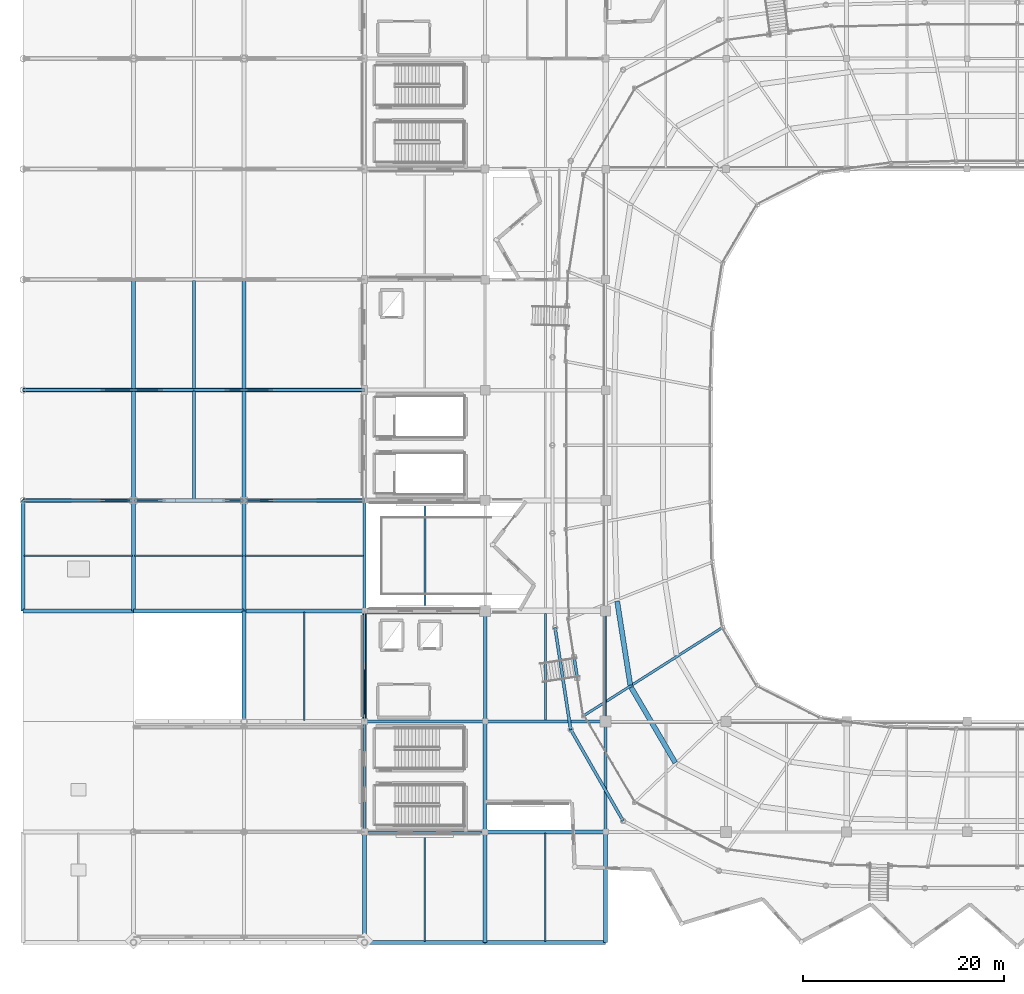
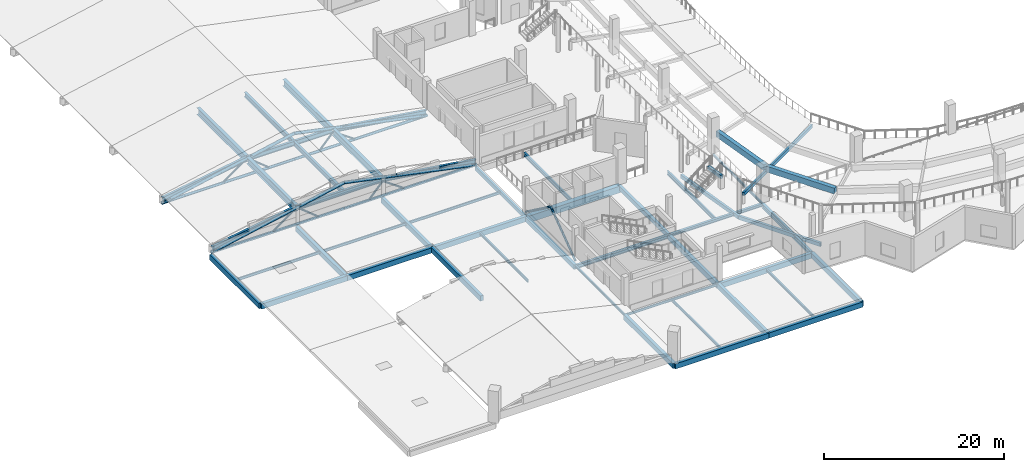
# One storey, part 27 of 77: 50 beams, 18 members.
"""IFC4 building model written with IfcOpenShell, lengths in metres."""

import ifcopenshell
import ifcopenshell.guid

model = None  # the IFC model being written
_history = None  # IfcOwnerHistory: only IFC2X3 demands one
_inside = {}  # id of a spatial element -> (the spatial element, [elements in it])
_under = {}  # id of a project, library or spatial element -> (it, [spatial elements below it])
_declared = {}  # id of a project -> (the project, [libraries it declares])
_typed = {}  # id of a type object -> (the type object, [elements of that type])
_made_of = {}  # id of a material, layer set ... -> (it, [elements and type objects made of it])


def new_model(schema):
    """Start an empty IFC model of exactly this schema.

    Asked for "IFC4X3", IfcOpenShell would pick the latest addendum, in which some entities
    have other attributes; the version numbers below select the first issue.
    IFC2X3 requires an IfcOwnerHistory on every rooted entity: one is made here for all.
    """
    global model, _history
    if schema == "IFC4X3":
        model = ifcopenshell.file(schema_version=(4, 3, 0, 0))
    else:
        model = ifcopenshell.file(schema=schema)
    _inside.clear()
    _under.clear()
    _declared.clear()
    _typed.clear()
    _made_of.clear()
    _history = None
    if model.schema == "IFC2X3":
        org = make("IfcOrganization", Name="unknown")
        user = make(
            "IfcPersonAndOrganization",
            ThePerson=make("IfcPerson", FamilyName="unknown"),
            TheOrganization=org,
        )
        app = make(
            "IfcApplication",
            ApplicationDeveloper=org,
            Version="unknown",
            ApplicationFullName="unknown",
            ApplicationIdentifier="unknown",
        )
        _history = make(
            "IfcOwnerHistory",
            OwningUser=user,
            OwningApplication=app,
            ChangeAction="ADDED",
            CreationDate=0,
        )
    return model


def make(cls, **values):
    """One entity of the class cls with the attributes given. An attribute that is None is left unset."""
    return model.create_entity(
        cls, **{name: value for name, value in values.items() if value is not None}
    )


def rooted(cls, **values):
    """An entity with a GlobalId (a new one), such as an element, a storey or a relation."""
    return make(cls, GlobalId=ifcopenshell.guid.new(), OwnerHistory=_history, **values)


def si_unit(unit_type, name, prefix=None):
    """IfcSIUnit, for example si_unit("LENGTHUNIT", "METRE", prefix="MILLI")."""
    return make("IfcSIUnit", UnitType=unit_type, Prefix=prefix, Name=name)


def assignment(units):
    """IfcUnitAssignment: the units of a project."""
    return None if units is None else make("IfcUnitAssignment", Units=units)


def point(xyz):
    """IfcCartesianPoint."""
    return None if xyz is None else make("IfcCartesianPoint", Coordinates=xyz)


def direction(xyz):
    """IfcDirection."""
    return None if xyz is None else make("IfcDirection", DirectionRatios=xyz)


def frame(location, z_axis=None, x_axis=None):
    """IfcAxis2Placement3D, a coordinate frame: its origin and axes. An axis left out is left unset."""
    return make(
        "IfcAxis2Placement3D",
        Location=point(location),
        Axis=direction(z_axis),
        RefDirection=direction(x_axis),
    )


def frame_2d(location, x_axis=None):
    """IfcAxis2Placement2D, a coordinate frame in the plane: its origin and x axis."""
    return make(
        "IfcAxis2Placement2D", Location=point(location), RefDirection=direction(x_axis)
    )


def origin():
    """The frame at (0, 0, 0) with its axes left unset."""
    return frame((0.0, 0.0, 0.0))


def origin_2d():
    """The frame at (0, 0) in the plane with its x axis left unset."""
    return frame_2d((0.0, 0.0))


def place(relative_to, where):
    """IfcLocalPlacement: puts the frame where relative to a parent placement (None: the world)."""
    return make(
        "IfcLocalPlacement", PlacementRelTo=relative_to, RelativePlacement=where
    )


def context(
    kind, dimensions, precision=None, world=None, true_north=None, identifier=None
):
    """IfcGeometricRepresentationContext, for example the 3D "Model" context."""
    return make(
        "IfcGeometricRepresentationContext",
        ContextIdentifier=identifier,
        ContextType=kind,
        CoordinateSpaceDimension=dimensions,
        Precision=precision,
        WorldCoordinateSystem=world,
        TrueNorth=true_north,
    )


def subcontext(parent, identifier, kind, view, scale=None):
    """IfcGeometricRepresentationSubContext, for example "Body" below "Model"."""
    return make(
        "IfcGeometricRepresentationSubContext",
        ContextIdentifier=identifier,
        ContextType=kind,
        ParentContext=parent,
        TargetScale=scale,
        TargetView=view,
    )


def project(units=None, contexts=None):
    """IfcProject with its units and contexts."""
    return rooted(
        "IfcProject",
        Name="project",
        RepresentationContexts=contexts,
        UnitsInContext=assignment(units),
    )


def spatial(cls, under=None, at=None, **own):
    """A site, building, storey or space (cls), placed at a placement, below another one or the project."""
    s = rooted(cls, ObjectPlacement=at, **own)
    if under is not None:
        _under.setdefault(under.id(), (under, []))[1].append(s)
    return s


def profile(cls, at=None, kind="AREA", **sizes):
    """A parametric profile (cls). Its sizes go by their IFC names, for example OverallWidth=200.0."""
    return make(cls, ProfileType=kind, Position=at, **sizes)


def rectangle(**sizes):
    """IfcRectangleProfileDef."""
    return profile("IfcRectangleProfileDef", **sizes)


def hollow_rectangle(**sizes):
    """IfcRectangleHollowProfileDef."""
    return profile("IfcRectangleHollowProfileDef", **sizes)


def hollow_circle(**sizes):
    """IfcCircleHollowProfileDef."""
    return profile("IfcCircleHollowProfileDef", **sizes)


def i_section(**sizes):
    """IfcIShapeProfileDef."""
    return profile("IfcIShapeProfileDef", **sizes)


def extrude(swept, where, along, depth):
    """IfcExtrudedAreaSolid: the profile swept, set in the frame where, extruded along a direction by depth."""
    return make(
        "IfcExtrudedAreaSolid",
        SweptArea=swept,
        Position=where,
        ExtrudedDirection=direction(along),
        Depth=depth,
    )


def shape(context_of_items, identifier, shape_type, items):
    """IfcShapeRepresentation: the items that make up one representation, for example the "Body"."""
    return make(
        "IfcShapeRepresentation",
        ContextOfItems=context_of_items,
        RepresentationIdentifier=identifier,
        RepresentationType=shape_type,
        Items=items,
    )


def material(Name=None, Category=None):
    """IfcMaterial."""
    return make("IfcMaterial", Name=Name, Category=Category)


def material_profile(
    of_material, cross_section, Name=None, Category=None, Priority=None
):
    """IfcMaterialProfile: a cross section and its material."""
    return make(
        "IfcMaterialProfile",
        Name=Name,
        Material=of_material,
        Profile=cross_section,
        Priority=Priority,
        Category=Category,
    )


def profile_set(profiles, Name=None, composite=None):
    """IfcMaterialProfileSet."""
    return make(
        "IfcMaterialProfileSet",
        Name=Name,
        MaterialProfiles=profiles,
        CompositeProfile=composite,
    )


def made_of(thing, what):
    """Note that an element or type object is made of a material, layer set ...; save() writes the relation."""
    if what is not None:
        _made_of.setdefault(what.id(), (what, []))[1].append(thing)
    return thing


def type_object(cls, material=None, **own):
    """A type object (cls), such as IfcWallType, which elements share."""
    return made_of(rooted(cls, **own), material)


def element(
    cls,
    number,
    at=None,
    inside=None,
    cuts=None,
    type_object=None,
    material=None,
    context=None,
    identifier="Body",
    shape_type=None,
    held_by="IfcProductDefinitionShape",
    body=None,
    shapes=None,
    **own,
):
    """One element of the class cls, such as IfcWall. Its Tag is "e" and its number.

    at: its placement. inside: the storey or other place that contains it. cuts: it is an
    opening in that element (IfcRelVoidsElement). A single representation is given by context,
    identifier, shape_type and body (its items); several are given by shapes. held_by: the class
    of the entity that holds the representations. save() writes the other relations.
    """
    e = rooted(cls, Tag="e%d" % number, ObjectPlacement=at, **own)
    if body is not None:
        shapes = [shape(context, identifier, shape_type, body)]
    if shapes is not None:
        e.Representation = make(held_by, Representations=shapes)
    if inside is not None:
        _inside.setdefault(inside.id(), (inside, []))[1].append(e)
    if cuts is not None:
        rooted(
            "IfcRelVoidsElement", RelatingBuildingElement=cuts, RelatedOpeningElement=e
        )
    if type_object is not None:
        _typed.setdefault(type_object.id(), (type_object, []))[1].append(e)
    return made_of(e, material)


def aggregate(whole, parts):
    """IfcRelAggregates: a whole, such as a stair, and the parts it consists of."""
    return rooted("IfcRelAggregates", RelatingObject=whole, RelatedObjects=parts)


def save(model, path):
    """Write the relations noted so far, then the file.

    IfcRelAggregates (storeys below a building ...), IfcRelContainedInSpatialStructure (elements
    in a storey), IfcRelDefinesByType, IfcRelAssociatesMaterial and IfcRelDeclares: one each for
    every whole, place, type object, material and project.
    """
    for whole, parts in _under.values():
        aggregate(whole, parts)
    for where, things in _inside.values():
        rooted(
            "IfcRelContainedInSpatialStructure",
            RelatedElements=things,
            RelatingStructure=where,
        )
    for kind, things in _typed.values():
        rooted("IfcRelDefinesByType", RelatedObjects=things, RelatingType=kind)
    for what, things in _made_of.values():
        rooted("IfcRelAssociatesMaterial", RelatedObjects=things, RelatingMaterial=what)
    for by, libraries in _declared.values():
        rooted("IfcRelDeclares", RelatingContext=by, RelatedDefinitions=libraries)
    model.write(path)


model = new_model("IFC4")

# Units and contexts
model_context = context("Model", 3, precision=1e-05, world=origin(), true_north=direction((0.0, 1.0)))
body_context = subcontext(model_context, "Body", "Model", "MODEL_VIEW")
ifc_project = project(units=[si_unit("LENGTHUNIT", "METRE"), si_unit("AREAUNIT", "SQUARE_METRE"), si_unit("VOLUMEUNIT", "CUBIC_METRE"), si_unit("PLANEANGLEUNIT", "RADIAN"), si_unit("MASSUNIT", "GRAM", prefix="KILO")], contexts=[model_context])

# Site, building, storey
site_placement = place(None, origin())
site = spatial("IfcSite", under=ifc_project, at=site_placement, CompositionType="ELEMENT")
building_placement = place(site_placement, origin())
building = spatial("IfcBuilding", under=site, at=building_placement, Name="Luwafu Chhajja Arena", CompositionType="ELEMENT")
storey_placement = place(building_placement, frame((0.0, 0.0, 14.699951171875)))
storey = spatial("IfcBuildingStorey", under=building, at=storey_placement, Name="L03", CompositionType="ELEMENT", Elevation=14.699951171875)

# Beams
ifc_material_1 = material(Name="Concrete C35/45", Category="concrete")
ifc_material_profile_1 = material_profile(ifc_material_1, rectangle(XDim=0.35009765625, YDim=0.60009765625, at=origin_2d()), Name="RC 350x600")
ifc_profile_set_1 = profile_set([ifc_material_profile_1], Name="Concrete C35/45")
beam_type_1 = type_object("IfcBeamType", Name="Arcade Tie Beam RC 350x600", PredefinedType="BEAM", material=ifc_profile_set_1)
beam_1_placement = place(storey_placement, frame((46.0, 22.0, -0.68994140625), z_axis=(0.0, 1.0, 0.0), x_axis=(-1.0, 0.0, 0.0)))
element("IfcBeam", 1, at=beam_1_placement, inside=storey, type_object=beam_type_1, Name="L03 Grid Beam 5/C-D", PredefinedType="BEAM", context=body_context, shape_type="SweptSolid", body=[
    extrude(rectangle(XDim=0.35009765625, YDim=0.60009765625, at=origin_2d()), origin(), (0.0, 0.0, 1.0), 11.0),
])
ifc_material_2 = material(Name="Steel S355", Category="steel")
ifc_material_profile_2 = material_profile(ifc_material_2, hollow_rectangle(XDim=0.25, YDim=0.449951171875, WallThickness=0.01611328125, at=origin_2d()), Name="RHS 450x250x16")
ifc_profile_set_2 = profile_set([ifc_material_profile_2], Name="Steel S355")
beam_type_2 = type_object("IfcBeamType", Name="Cantilevered Upper Bowl Raker RHS 450x250", PredefinedType="USERDEFINED", material=ifc_profile_set_2)
beam_2_placement = place(storey_placement, frame((69.701416015625, 31.399658203125, 0.239990234375), z_axis=(-0.842344515342, -0.535670990695, 0.059264721387), x_axis=(0.536614196584, -0.843827709917, 0.0)))
element("IfcBeam", 2, at=beam_2_placement, inside=storey, type_object=beam_type_2, Name="Upper Bowl Raker RKR-U20", ObjectType="RAKER", PredefinedType="USERDEFINED", context=body_context, shape_type="SweptSolid", body=[
    extrude(hollow_rectangle(XDim=0.25, YDim=0.449951171875, WallThickness=0.01611328125, at=origin_2d()), origin(), (0.0, 0.0, 1.0), 16.53564453125),
])
ifc_material_profile_3 = material_profile(ifc_material_2, i_section(OverallWidth=0.165771484375, OverallDepth=0.306640625, WebThickness=0.006591796875, FlangeThickness=0.01171875, at=origin_2d()), Name="UB 305x165x46")
ifc_profile_set_3 = profile_set([ifc_material_profile_3], Name="Steel S355")
beam_type_3 = type_object("IfcBeamType", Name="Concourse Edge Spandrel Beam UB 305x165x46", PredefinedType="SPANDREL", material=ifc_profile_set_3)
beam_3_placement = place(storey_placement, frame((34.0, 11.0, -0.543212890625), z_axis=(1.0, 0.0, 0.0), x_axis=(0.0, 1.0, 0.0)))
element("IfcBeam", 3, at=beam_3_placement, inside=storey, type_object=beam_type_3, Name="L03 Grid Beam 4-5/B", PredefinedType="SPANDREL", context=body_context, shape_type="SweptSolid", body=[
    extrude(i_section(OverallWidth=0.165771484375, OverallDepth=0.306640625, WebThickness=0.006591796875, FlangeThickness=0.01171875, at=origin_2d()), origin(), (0.0, 0.0, 1.0), 12.0),
])
for number, where, z_axis, x_axis, name in (
    (4, (34.0, 11.0, -0.543212890625), (0.0, 1.0, 0.0), (-1.0, 0.0, 0.0), "L03 Grid Beam 4/B-C"),
    (5, (58.0, 22.0, -0.543212890625), (0.0, 1.0, 0.0), (-1.0, 0.0, 0.0), "L03 Grid Beam 6/C-D"),
):
    element("IfcBeam", number, at=place(storey_placement, frame(where, z_axis=z_axis, x_axis=x_axis)), inside=storey, type_object=beam_type_3, Name=name, PredefinedType="SPANDREL", context=body_context, shape_type="SweptSolid", body=[
        extrude(i_section(OverallWidth=0.165771484375, OverallDepth=0.306640625, WebThickness=0.006591796875, FlangeThickness=0.01171875, at=origin_2d()), origin(), (0.0, 0.0, 1.0), 11.0),
    ])
ifc_material_profile_4 = material_profile(ifc_material_1, rectangle(XDim=0.60009765625, YDim=0.89990234375, at=origin_2d()), Name="RC 600x900")
ifc_profile_set_4 = profile_set([ifc_material_profile_4], Name="Concrete C35/45")
beam_type_4 = type_object("IfcBeamType", Name="Concourse Primary Girder RC 600x900", PredefinedType="BEAM", material=ifc_profile_set_4)
beam_4_placement = place(storey_placement, frame((34.0, 33.0, -0.83984375), z_axis=(1.0, 0.0, 0.0), x_axis=(0.0, 1.0, 0.0)))
element("IfcBeam", 6, at=beam_4_placement, inside=storey, type_object=beam_type_4, Name="L03 Grid Beam 4-5/D", PredefinedType="BEAM", context=body_context, shape_type="SweptSolid", body=[
    extrude(rectangle(XDim=0.60009765625, YDim=0.89990234375, at=origin_2d()), origin(), (0.0, 0.0, 1.0), 12.0),
])
ifc_material_profile_5 = material_profile(ifc_material_2, i_section(OverallWidth=0.209228515625, OverallDepth=0.533203125, WebThickness=0.010009765625, FlangeThickness=0.015625, at=origin_2d()), Name="UB 533x210x92")
ifc_profile_set_5 = profile_set([ifc_material_profile_5], Name="Steel S355")
beam_type_5 = type_object("IfcBeamType", Name="Floor Joist UB 533x210x92", PredefinedType="JOIST", material=ifc_profile_set_5)
beam_5_placement = place(storey_placement, frame((40.0, 33.300048828125, -0.656494140625), z_axis=(0.0, 1.0, 0.0), x_axis=(-1.0, 0.0, 0.0)))
element("IfcBeam", 7, at=beam_5_placement, inside=storey, type_object=beam_type_5, Name="L03 Secondary Joist 4-5/D", PredefinedType="JOIST", context=body_context, shape_type="SweptSolid", body=[
    extrude(i_section(OverallWidth=0.209228515625, OverallDepth=0.533203125, WebThickness=0.010009765625, FlangeThickness=0.015625, at=origin_2d()), origin(), (0.0, 0.0, 1.0), 10.449951171875),
])
beam_6_placement = place(storey_placement, frame((52.0, 22.14990234375, -0.656494140625), z_axis=(0.0, 1.0, 0.0), x_axis=(-1.0, 0.0, 0.0)))
element("IfcBeam", 8, at=beam_6_placement, inside=storey, type_object=beam_type_5, Name="L03 Secondary Joist 5-6/C", PredefinedType="JOIST", context=body_context, shape_type="SweptSolid", body=[
    extrude(i_section(OverallWidth=0.209228515625, OverallDepth=0.533203125, WebThickness=0.010009765625, FlangeThickness=0.015625, at=origin_2d()), origin(), (0.0, 0.0, 1.0), 10.5751953125),
])
ifc_material_profile_6 = material_profile(ifc_material_1, rectangle(XDim=0.5, YDim=0.800048828125, at=origin_2d()), Name="RC 500x800")
ifc_profile_set_6 = profile_set([ifc_material_profile_6], Name="Concrete C35/45")
beam_type_6 = type_object("IfcBeamType", Name="Hospitality Primary Beam RC 500x800", PredefinedType="BEAM", material=ifc_profile_set_6)
beam_7_placement = place(storey_placement, frame((59.1513671875, 33.974609375, 1.380126953125), z_axis=(0.154767809248, -0.987950871866, 0.0), x_axis=(0.987950871866, 0.154767809248, 0.0)))
element("IfcBeam", 9, at=beam_7_placement, inside=storey, type_object=beam_type_6, Name="Upper Tier Ring Beam S19-B3", PredefinedType="BEAM", context=body_context, shape_type="SweptSolid", body=[
    extrude(rectangle(XDim=0.5, YDim=0.800048828125, at=origin_2d()), origin(), (0.0, 0.0, 1.0), 8.458251953125),
])
beam_8_placement = place(storey_placement, frame((60.54296875, 25.38671875, 1.380126953125), z_axis=(0.506098278206, -0.862475815775, 0.0), x_axis=(0.862475815775, 0.506098278206, 0.0)))
element("IfcBeam", 10, at=beam_8_placement, inside=storey, type_object=beam_type_6, Name="Upper Tier Ring Beam S20-B3", PredefinedType="BEAM", context=body_context, shape_type="SweptSolid", body=[
    extrude(rectangle(XDim=0.5, YDim=0.800048828125, at=origin_2d()), origin(), (0.0, 0.0, 1.0), 8.68310546875),
])
ifc_material_profile_7 = material_profile(ifc_material_2, i_section(OverallWidth=0.41845703125, OverallDepth=0.911865234375, WebThickness=0.019287109375, FlangeThickness=0.031982421875, at=origin_2d()), Name="UB 914x419x343")
ifc_profile_set_7 = profile_set([ifc_material_profile_7], Name="Steel S355")
beam_type_7 = type_object("IfcBeamType", Name="Outer Compression Ring Girder UB 914x419x343", PredefinedType="BEAM", material=ifc_profile_set_7)
for number, where, z_axis, x_axis, name in (
    (11, (11.0, 44.1201171875, 1.949951171875), (0.0, 1.0, 0.0), (-1.0, 0.0, 0.0), "Warm-Up W Spine Girder Bay 4"),
    (12, (11.0, 55.1201171875, 1.949951171875), (0.0, 1.0, 0.0), (-1.0, 0.0, 0.0), "Warm-Up W Spine Girder Bay 5"),
    (13, (22.0, 44.1201171875, 1.949951171875), (0.0, 1.0, 0.0), (-1.0, 0.0, 0.0), "Warm-Up E Spine Girder Bay 4"),
    (14, (22.0, 55.1201171875, 1.949951171875), (0.0, 1.0, 0.0), (-1.0, 0.0, 0.0), "Warm-Up E Spine Girder Bay 5"),
):
    element("IfcBeam", number, at=place(storey_placement, frame(where, z_axis=z_axis, x_axis=x_axis)), inside=storey, type_object=beam_type_7, Name=name, PredefinedType="BEAM", context=body_context, shape_type="SweptSolid", body=[
        extrude(i_section(OverallWidth=0.41845703125, OverallDepth=0.911865234375, WebThickness=0.019287109375, FlangeThickness=0.031982421875, at=origin_2d()), origin(), (0.0, 0.0, 1.0), 10.759765625),
    ])
ifc_material_profile_8 = material_profile(ifc_material_2, hollow_rectangle(XDim=0.300048828125, YDim=0.5, WallThickness=0.02001953125, at=origin_2d()), Name="RHS 500x300x20")
ifc_profile_set_8 = profile_set([ifc_material_profile_8], Name="Steel S355")
beam_type_8 = type_object("IfcBeamType", Name="Pleated Drum Spandrel Beam RHS 500x300", PredefinedType="SPANDREL", material=ifc_profile_set_8)
beam_9_placement = place(storey_placement, frame((34.0, 33.0, -0.639892578125), z_axis=(0.0, 1.0, 0.0), x_axis=(-1.0, 0.0, 0.0)))
element("IfcBeam", 15, at=beam_9_placement, inside=storey, type_object=beam_type_8, Name="L03 Grid Beam 4/D-E", PredefinedType="SPANDREL", context=body_context, shape_type="SweptSolid", body=[
    extrude(hollow_rectangle(XDim=0.300048828125, YDim=0.5, WallThickness=0.02001953125, at=origin_2d()), origin(), (0.0, 0.0, 1.0), 11.0),
])
beam_10_placement = place(storey_placement, frame((52.968017578125, 31.3388671875, -0.639892578125), z_axis=(0.1515977802, -0.988442265911, 0.0), x_axis=(0.988442265911, 0.1515977802, 0.0)))
element("IfcBeam", 16, at=beam_10_placement, inside=storey, type_object=beam_type_8, Name="L03 Drum Ring Spandrel D19-D20", PredefinedType="SPANDREL", context=body_context, shape_type="SweptSolid", body=[
    extrude(hollow_rectangle(XDim=0.300048828125, YDim=0.5, WallThickness=0.02001953125, at=origin_2d()), origin(), (0.0, 0.0, 1.0), 10.263427734375),
])
beam_11_placement = place(storey_placement, frame((54.52392578125, 21.194091796875, -0.639892578125), z_axis=(0.498192671921, -0.867066353657, 0.0), x_axis=(0.867066353657, 0.498192671921, 0.0)))
element("IfcBeam", 17, at=beam_11_placement, inside=storey, type_object=beam_type_8, Name="L03 Drum Ring Spandrel D20-D21", PredefinedType="SPANDREL", context=body_context, shape_type="SweptSolid", body=[
    extrude(hollow_rectangle(XDim=0.300048828125, YDim=0.5, WallThickness=0.02001953125, at=origin_2d()), origin(), (0.0, 0.0, 1.0), 10.477783203125),
])
ifc_material_profile_9 = material_profile(ifc_material_1, rectangle(XDim=0.39990234375, YDim=0.60009765625, at=origin_2d()), Name="RC 400x600")
ifc_profile_set_9 = profile_set([ifc_material_profile_9], Name="Concrete C35/45")
beam_type_9 = type_object("IfcBeamType", Name="Podium Perimeter Spandrel RC 400x600", PredefinedType="SPANDREL", material=ifc_profile_set_9)
beam_12_placement = place(storey_placement, frame((34.0, 22.0, -0.68994140625), z_axis=(0.0, 1.0, 0.0), x_axis=(-1.0, 0.0, 0.0)))
element("IfcBeam", 18, at=beam_12_placement, inside=storey, type_object=beam_type_9, Name="L03 Grid Beam 4/C-D", PredefinedType="SPANDREL", context=body_context, shape_type="SweptSolid", body=[
    extrude(rectangle(XDim=0.39990234375, YDim=0.60009765625, at=origin_2d()), origin(), (0.0, 0.0, 1.0), 11.0),
])
ifc_material_profile_10 = material_profile(ifc_material_2, i_section(OverallWidth=0.300048828125, OverallDepth=0.5, WebThickness=0.014404296875, FlangeThickness=0.028076171875, at=origin_2d()), Name="HEB 500")
ifc_profile_set_10 = profile_set([ifc_material_profile_10], Name="Steel S355")
beam_type_10 = type_object("IfcBeamType", Name="Steel Atrium Tie Girder HEB 500", PredefinedType="BEAM", material=ifc_profile_set_10)
beam_13_placement = place(storey_placement, frame((34.0, 22.0, -0.639892578125), z_axis=(1.0, 0.0, 0.0), x_axis=(0.0, 1.0, 0.0)))
element("IfcBeam", 19, at=beam_13_placement, inside=storey, type_object=beam_type_10, Name="L03 Grid Beam 4-5/C", PredefinedType="BEAM", context=body_context, shape_type="SweptSolid", body=[
    extrude(i_section(OverallWidth=0.300048828125, OverallDepth=0.5, WebThickness=0.014404296875, FlangeThickness=0.028076171875, at=origin_2d()), origin(), (0.0, 0.0, 1.0), 12.0),
])
ifc_material_profile_11 = material_profile(ifc_material_2, i_section(OverallWidth=0.30712890625, OverallDepth=0.6201171875, WebThickness=0.01416015625, FlangeThickness=0.023681640625, at=origin_2d()), Name="UB 610x305x179")
ifc_profile_set_11 = profile_set([ifc_material_profile_11], Name="Steel S355")
beam_type_11 = type_object("IfcBeamType", Name="Steel Hospitality Girder UB 610x305x179", PredefinedType="BEAM", material=ifc_profile_set_11)
beam_14_placement = place(storey_placement, frame((58.0, 11.0, -0.699951171875), z_axis=(0.0, 1.0, 0.0), x_axis=(-1.0, 0.0, 0.0)))
element("IfcBeam", 20, at=beam_14_placement, inside=storey, type_object=beam_type_11, Name="L03 Grid Beam 6/B-C", PredefinedType="BEAM", context=body_context, shape_type="SweptSolid", body=[
    extrude(i_section(OverallWidth=0.30712890625, OverallDepth=0.6201171875, WebThickness=0.01416015625, FlangeThickness=0.023681640625, at=origin_2d()), origin(), (0.0, 0.0, 1.0), 11.0),
])
beam_15_placement = place(storey_placement, frame((0.10009765625, 44.0, 0.35009765625), z_axis=(0.987366005777, 0.0, 0.158456210467), x_axis=(0.0, 1.0, 0.0)))
element("IfcBeam", 21, at=beam_15_placement, inside=storey, type_object=beam_type_11, Name="Warm-Up Truss 01 West Rafter", PredefinedType="BEAM", context=body_context, shape_type="SweptSolid", body=[
    extrude(i_section(OverallWidth=0.30712890625, OverallDepth=0.6201171875, WebThickness=0.01416015625, FlangeThickness=0.023681640625, at=origin_2d()), origin(), (0.0, 0.0, 1.0), 10.917724609375),
])
beam_16_placement = place(storey_placement, frame((11.1201171875, 44.0, 2.080078125), z_axis=(1.0, 0.0, 0.0), x_axis=(0.0, 1.0, 0.0)))
element("IfcBeam", 22, at=beam_16_placement, inside=storey, type_object=beam_type_11, Name="Warm-Up Truss 01 Crown Tie Girder", PredefinedType="BEAM", context=body_context, shape_type="SweptSolid", body=[
    extrude(i_section(OverallWidth=0.30712890625, OverallDepth=0.6201171875, WebThickness=0.01416015625, FlangeThickness=0.023681640625, at=origin_2d()), origin(), (0.0, 0.0, 1.0), 10.759765625),
])
beam_17_placement = place(storey_placement, frame((22.1201171875, 44.0, 2.080078125), z_axis=(0.989387417973, 0.0, -0.145301538731), x_axis=(0.0, 1.0, 0.0)))
element("IfcBeam", 23, at=beam_17_placement, inside=storey, type_object=beam_type_11, Name="Warm-Up Truss 01 East Rafter", PredefinedType="BEAM", context=body_context, shape_type="SweptSolid", body=[
    extrude(i_section(OverallWidth=0.30712890625, OverallDepth=0.6201171875, WebThickness=0.01416015625, FlangeThickness=0.023681640625, at=origin_2d()), origin(), (0.0, 0.0, 1.0), 11.90625),
])
beam_18_placement = place(storey_placement, frame((0.10009765625, 55.0, 0.35009765625), z_axis=(0.987366005777, 0.0, 0.158456210467), x_axis=(0.0, 1.0, 0.0)))
element("IfcBeam", 24, at=beam_18_placement, inside=storey, type_object=beam_type_11, Name="Warm-Up Truss 02 West Rafter", PredefinedType="BEAM", context=body_context, shape_type="SweptSolid", body=[
    extrude(i_section(OverallWidth=0.30712890625, OverallDepth=0.6201171875, WebThickness=0.01416015625, FlangeThickness=0.023681640625, at=origin_2d()), origin(), (0.0, 0.0, 1.0), 10.917724609375),
])
beam_19_placement = place(storey_placement, frame((11.1201171875, 55.0, 2.080078125), z_axis=(1.0, 0.0, 0.0), x_axis=(0.0, 1.0, 0.0)))
element("IfcBeam", 25, at=beam_19_placement, inside=storey, type_object=beam_type_11, Name="Warm-Up Truss 02 Crown Tie Girder", PredefinedType="BEAM", context=body_context, shape_type="SweptSolid", body=[
    extrude(i_section(OverallWidth=0.30712890625, OverallDepth=0.6201171875, WebThickness=0.01416015625, FlangeThickness=0.023681640625, at=origin_2d()), origin(), (0.0, 0.0, 1.0), 10.759765625),
])
beam_20_placement = place(storey_placement, frame((22.1201171875, 55.0, 2.080078125), z_axis=(0.989387417973, 0.0, -0.145301538731), x_axis=(0.0, 1.0, 0.0)))
element("IfcBeam", 26, at=beam_20_placement, inside=storey, type_object=beam_type_11, Name="Warm-Up Truss 02 East Rafter", PredefinedType="BEAM", context=body_context, shape_type="SweptSolid", body=[
    extrude(i_section(OverallWidth=0.30712890625, OverallDepth=0.6201171875, WebThickness=0.01416015625, FlangeThickness=0.023681640625, at=origin_2d()), origin(), (0.0, 0.0, 1.0), 11.90625),
])
for number, where, z_axis, x_axis, name in (
    (27, (17.0, 44.10009765625, 2.080078125), (0.0, 1.0, 0.0), (-1.0, 0.0, 0.0), "Warm-Up Ridge Girder Bay 4"),
    (28, (17.0, 55.10009765625, 2.080078125), (0.0, 1.0, 0.0), (-1.0, 0.0, 0.0), "Warm-Up Ridge Girder Bay 5"),
):
    element("IfcBeam", number, at=place(storey_placement, frame(where, z_axis=z_axis, x_axis=x_axis)), inside=storey, type_object=beam_type_11, Name=name, PredefinedType="BEAM", context=body_context, shape_type="SweptSolid", body=[
        extrude(i_section(OverallWidth=0.30712890625, OverallDepth=0.6201171875, WebThickness=0.01416015625, FlangeThickness=0.023681640625, at=origin_2d()), origin(), (0.0, 0.0, 1.0), 10.7998046875),
    ])
ifc_material_profile_12 = material_profile(ifc_material_2, i_section(OverallWidth=0.300048828125, OverallDepth=0.39990234375, WebThickness=0.013427734375, FlangeThickness=0.02392578125, at=origin_2d()), Name="HEB 400")
ifc_profile_set_12 = profile_set([ifc_material_profile_12], Name="Steel S355")
beam_type_12 = type_object("IfcBeamType", Name="Steel Rigging Grid Beam HEB 400", PredefinedType="BEAM", material=ifc_profile_set_12)
beam_21_placement = place(storey_placement, frame((46.0, 22.0, -0.58984375), z_axis=(1.0, 0.0, 0.0), x_axis=(0.0, 1.0, 0.0)))
element("IfcBeam", 29, at=beam_21_placement, inside=storey, type_object=beam_type_12, Name="L03 Grid Beam 5-6/C", PredefinedType="BEAM", context=body_context, shape_type="SweptSolid", body=[
    extrude(i_section(OverallWidth=0.300048828125, OverallDepth=0.39990234375, WebThickness=0.013427734375, FlangeThickness=0.02392578125, at=origin_2d()), origin(), (0.0, 0.0, 1.0), 12.0),
])
ifc_material_3 = material(Name="Precast concrete C40/50", Category="concrete")
ifc_material_profile_13 = material_profile(ifc_material_3, rectangle(XDim=0.300048828125, YDim=0.5, at=origin_2d()), Name="RC 300x500")
ifc_profile_set_13 = profile_set([ifc_material_profile_13], Name="Precast concrete C40/50")
beam_type_13 = type_object("IfcBeamType", Name="Tier Support Beam RC 300x500", PredefinedType="BEAM", material=ifc_profile_set_13)
beam_22_placement = place(storey_placement, frame((54.8388671875, 28.509033203125, 1.550048828125), z_axis=(0.154561459509, -0.987983175583, 0.0), x_axis=(0.987983175583, 0.154561459509, 0.0)))
element("IfcBeam", 30, at=beam_22_placement, inside=storey, type_object=beam_type_13, Name="L03 Vomitory Header Beam S19", PredefinedType="BEAM", context=body_context, shape_type="SweptSolid", body=[
    extrude(rectangle(XDim=0.300048828125, YDim=0.5, at=origin_2d()), origin(), (0.0, 0.0, 1.0), 2.2998046875),
])

# Members
ifc_material_profile_14 = material_profile(ifc_material_2, hollow_circle(Radius=0.177734375, WallThickness=0.01416015625, at=origin_2d()), Name="CHS 355.6x14.2")
ifc_profile_set_14 = profile_set([ifc_material_profile_14], Name="Steel S355")
member_type_1 = type_object("IfcMemberType", Name="Warm-Up Truss Bottom Chord CHS 355", PredefinedType="CHORD", material=ifc_profile_set_14)
for number, where, z_axis, x_axis, name in (
    (31, (0.0, 44.0, -0.14990234375), (1.0, 0.0, 0.0), (0.0, 1.0, 0.0), "Roof truss bottom chord WT-01W"),
    (32, (17.0, 44.0, -0.14990234375), (1.0, 0.0, 0.0), (0.0, 1.0, 0.0), "Roof truss bottom chord WT-01E"),
    (33, (0.0, 55.0, -0.14990234375), (1.0, 0.0, 0.0), (0.0, 1.0, 0.0), "Roof truss bottom chord WT-02W"),
    (34, (17.0, 55.0, -0.14990234375), (1.0, 0.0, 0.0), (0.0, 1.0, 0.0), "Roof truss bottom chord WT-02E"),
):
    element("IfcMember", number, at=place(storey_placement, frame(where, z_axis=z_axis, x_axis=x_axis)), inside=storey, type_object=member_type_1, Name=name, PredefinedType="CHORD", context=body_context, shape_type="SweptSolid", body=[
        extrude(hollow_circle(Radius=0.177734375, WallThickness=0.01416015625, at=origin_2d()), origin(), (0.0, 0.0, 1.0), 17.0),
    ])
ifc_material_profile_15 = material_profile(ifc_material_2, hollow_circle(Radius=0.203125, WallThickness=0.01611328125, at=origin_2d()), Name="CHS 406.4x16")
ifc_profile_set_15 = profile_set([ifc_material_profile_15], Name="Steel S355")
member_type_2 = type_object("IfcMemberType", Name="Warm-Up Truss Top Chord CHS 406", PredefinedType="CHORD", material=ifc_profile_set_15)
for number, where, z_axis, x_axis, name in (
    (35, (0.0, 44.0, -0.14990234375), (0.979457043257, 0.0, 0.20165292067), (0.0, 1.0, 0.0), "Roof truss top chord WT-01W"),
    (36, (17.0, 44.0, 3.35009765625), (0.979457043257, 0.0, -0.20165292067), (0.0, 1.0, 0.0), "Roof truss top chord WT-01E"),
    (37, (0.0, 55.0, -0.14990234375), (0.979457043257, 0.0, 0.20165292067), (0.0, 1.0, 0.0), "Roof truss top chord WT-02W"),
    (38, (17.0, 55.0, 3.35009765625), (0.979457043257, 0.0, -0.20165292067), (0.0, 1.0, 0.0), "Roof truss top chord WT-02E"),
):
    element("IfcMember", number, at=place(storey_placement, frame(where, z_axis=z_axis, x_axis=x_axis)), inside=storey, type_object=member_type_2, Name=name, PredefinedType="CHORD", context=body_context, shape_type="SweptSolid", body=[
        extrude(hollow_circle(Radius=0.203125, WallThickness=0.01611328125, at=origin_2d()), origin(), (0.0, 0.0, 1.0), 17.3564453125),
    ])
ifc_material_profile_16 = material_profile(ifc_material_2, hollow_circle(Radius=0.122314453125, WallThickness=0.010009765625, at=origin_2d()), Name="CHS 244.5x10")
ifc_profile_set_16 = profile_set([ifc_material_profile_16], Name="Steel S355")
member_type_3 = type_object("IfcMemberType", Name="Warm-Up Truss Web Diagonal CHS 244", PredefinedType="BRACE", material=ifc_profile_set_16)
member_1_placement = place(storey_placement, frame((7.800048828125, 44.0, -0.14990234375), z_axis=(0.81682103347, 0.0, 0.576891150288), x_axis=(0.0, 1.0, 0.0)))
element("IfcMember", 39, at=member_1_placement, inside=storey, type_object=member_type_3, Name="Roof truss web diagonal WT-01-D1", PredefinedType="BRACE", context=body_context, shape_type="SweptSolid", body=[
    extrude(hollow_circle(Radius=0.122314453125, WallThickness=0.010009765625, at=origin_2d()), origin(), (0.0, 0.0, 1.0), 3.91748046875),
])
member_2_placement = place(storey_placement, frame((11.0, 44.0, 2.110107421875), z_axis=(0.778154156625, 0.0, -0.628073330533), x_axis=(0.0, 1.0, 0.0)))
element("IfcMember", 40, at=member_2_placement, inside=storey, type_object=member_type_3, Name="Roof truss web diagonal WT-01-D2", PredefinedType="BRACE", context=body_context, shape_type="SweptSolid", body=[
    extrude(hollow_circle(Radius=0.122314453125, WallThickness=0.010009765625, at=origin_2d()), origin(), (0.0, 0.0, 1.0), 3.598388671875),
])
member_3_placement = place(storey_placement, frame((20.199951171875, 44.0, -0.14990234375), z_axis=(0.674551328566, 0.0, 0.738227949301), x_axis=(0.0, 1.0, 0.0)))
element("IfcMember", 41, at=member_3_placement, inside=storey, type_object=member_type_3, Name="Roof truss web diagonal WT-01-D3", PredefinedType="BRACE", context=body_context, shape_type="SweptSolid", body=[
    extrude(hollow_circle(Radius=0.122314453125, WallThickness=0.010009765625, at=origin_2d()), origin(), (0.0, 0.0, 1.0), 2.66845703125),
])
member_4_placement = place(storey_placement, frame((22.0, 44.0, 1.820068359375), z_axis=(0.817866080639, 0.0, -0.575408614934), x_axis=(0.0, 1.0, 0.0)))
element("IfcMember", 42, at=member_4_placement, inside=storey, type_object=member_type_3, Name="Roof truss web diagonal WT-01-D4", PredefinedType="BRACE", context=body_context, shape_type="SweptSolid", body=[
    extrude(hollow_circle(Radius=0.122314453125, WallThickness=0.010009765625, at=origin_2d()), origin(), (0.0, 0.0, 1.0), 3.423583984375),
])
member_5_placement = place(storey_placement, frame((7.800048828125, 55.0, -0.14990234375), z_axis=(0.81682103347, 0.0, 0.576891150288), x_axis=(0.0, 1.0, 0.0)))
element("IfcMember", 43, at=member_5_placement, inside=storey, type_object=member_type_3, Name="Roof truss web diagonal WT-02-D1", PredefinedType="BRACE", context=body_context, shape_type="SweptSolid", body=[
    extrude(hollow_circle(Radius=0.122314453125, WallThickness=0.010009765625, at=origin_2d()), origin(), (0.0, 0.0, 1.0), 3.91748046875),
])
member_6_placement = place(storey_placement, frame((11.0, 55.0, 2.110107421875), z_axis=(0.778154156625, 0.0, -0.628073330533), x_axis=(0.0, 1.0, 0.0)))
element("IfcMember", 44, at=member_6_placement, inside=storey, type_object=member_type_3, Name="Roof truss web diagonal WT-02-D2", PredefinedType="BRACE", context=body_context, shape_type="SweptSolid", body=[
    extrude(hollow_circle(Radius=0.122314453125, WallThickness=0.010009765625, at=origin_2d()), origin(), (0.0, 0.0, 1.0), 3.598388671875),
])
member_7_placement = place(storey_placement, frame((20.199951171875, 55.0, -0.14990234375), z_axis=(0.674551328566, 0.0, 0.738227949301), x_axis=(0.0, 1.0, 0.0)))
element("IfcMember", 45, at=member_7_placement, inside=storey, type_object=member_type_3, Name="Roof truss web diagonal WT-02-D3", PredefinedType="BRACE", context=body_context, shape_type="SweptSolid", body=[
    extrude(hollow_circle(Radius=0.122314453125, WallThickness=0.010009765625, at=origin_2d()), origin(), (0.0, 0.0, 1.0), 2.66845703125),
])
member_8_placement = place(storey_placement, frame((22.0, 55.0, 1.820068359375), z_axis=(0.817866080639, 0.0, -0.575408614934), x_axis=(0.0, 1.0, 0.0)))
element("IfcMember", 46, at=member_8_placement, inside=storey, type_object=member_type_3, Name="Roof truss web diagonal WT-02-D4", PredefinedType="BRACE", context=body_context, shape_type="SweptSolid", body=[
    extrude(hollow_circle(Radius=0.122314453125, WallThickness=0.010009765625, at=origin_2d()), origin(), (0.0, 0.0, 1.0), 3.423583984375),
])

# Beams
ifc_material_profile_17 = material_profile(ifc_material_1, rectangle(XDim=0.39990234375, YDim=0.699951171875, at=origin_2d()), Name="RC 400x700")
ifc_profile_set_17 = profile_set([ifc_material_profile_17], Name="Concrete C35/45")
beam_type_14 = type_object("IfcBeamType", Name="Wing Frame Beam RC 400x700", PredefinedType="BEAM", material=ifc_profile_set_17)
for number, where, z_axis, x_axis, name in (
    (47, (46.0, 11.0, -0.739990234375), (0.0, 1.0, 0.0), (-1.0, 0.0, 0.0), "L03 Grid Beam 5/B-C"),
    (48, (0.0, 33.0, -0.724853515625), (1.0, 0.0, 0.0), (0.0, 1.0, 0.0), "L03 Podium Roof Deck Beam X-00_03"),
    (49, (0.0, 33.0, -0.724853515625), (0.0, 1.0, 0.0), (-1.0, 0.0, 0.0), "L03 Podium Roof Deck Beam Y-00_03"),
    (50, (11.0, 33.0, -0.724853515625), (0.0, 1.0, 0.0), (-1.0, 0.0, 0.0), "L03 Podium Roof Deck Beam Y-01_03"),
    (51, (11.0, 33.0, -0.724853515625), (1.0, 0.0, 0.0), (0.0, 1.0, 0.0), "L03 Podium Roof Deck Beam X-01_03"),
    (52, (22.0, 33.0, -0.724853515625), (0.0, 1.0, 0.0), (-1.0, 0.0, 0.0), "L03 Podium Roof Deck Beam Y-02_03"),
):
    element("IfcBeam", number, at=place(storey_placement, frame(where, z_axis=z_axis, x_axis=x_axis)), inside=storey, type_object=beam_type_14, Name=name, PredefinedType="BEAM", context=body_context, shape_type="SweptSolid", body=[
        extrude(rectangle(XDim=0.39990234375, YDim=0.699951171875, at=origin_2d()), origin(), (0.0, 0.0, 1.0), 11.0),
    ])
beam_23_placement = place(storey_placement, frame((22.0, 33.0, -0.724853515625), z_axis=(1.0, 0.0, 0.0), x_axis=(0.0, 1.0, 0.0)))
element("IfcBeam", 53, at=beam_23_placement, inside=storey, type_object=beam_type_14, Name="L03 Podium Roof Deck Beam X-02_03", PredefinedType="BEAM", context=body_context, shape_type="SweptSolid", body=[
    extrude(rectangle(XDim=0.39990234375, YDim=0.699951171875, at=origin_2d()), origin(), (0.0, 0.0, 1.0), 12.0),
])
beam_24_placement = place(storey_placement, frame((22.0, 22.0, -0.724853515625), z_axis=(0.0, 1.0, 0.0), x_axis=(-1.0, 0.0, 0.0)))
element("IfcBeam", 54, at=beam_24_placement, inside=storey, type_object=beam_type_14, Name="L03 Podium Roof Deck Beam Y-02_02", PredefinedType="BEAM", context=body_context, shape_type="SweptSolid", body=[
    extrude(rectangle(XDim=0.39990234375, YDim=0.699951171875, at=origin_2d()), origin(), (0.0, 0.0, 1.0), 11.0),
])
beam_25_placement = place(storey_placement, frame((34.0, 0.0, -0.724853515625), z_axis=(1.0, 0.0, 0.0), x_axis=(0.0, 1.0, 0.0)))
element("IfcBeam", 55, at=beam_25_placement, inside=storey, type_object=beam_type_14, Name="L03 Podium Roof Deck Beam X-03_00", PredefinedType="BEAM", context=body_context, shape_type="SweptSolid", body=[
    extrude(rectangle(XDim=0.39990234375, YDim=0.699951171875, at=origin_2d()), origin(), (0.0, 0.0, 1.0), 12.0),
])
for number, where, z_axis, x_axis, name in (
    (56, (34.0, 0.0, -0.724853515625), (0.0, 1.0, 0.0), (-1.0, 0.0, 0.0), "L03 Podium Roof Deck Beam Y-03_00"),
    (57, (46.0, 0.0, -0.724853515625), (0.0, 1.0, 0.0), (-1.0, 0.0, 0.0), "L03 Podium Roof Deck Beam Y-04_00"),
):
    element("IfcBeam", number, at=place(storey_placement, frame(where, z_axis=z_axis, x_axis=x_axis)), inside=storey, type_object=beam_type_14, Name=name, PredefinedType="BEAM", context=body_context, shape_type="SweptSolid", body=[
        extrude(rectangle(XDim=0.39990234375, YDim=0.699951171875, at=origin_2d()), origin(), (0.0, 0.0, 1.0), 11.0),
    ])
for number, where, z_axis, x_axis, name in (
    (58, (46.0, 0.0, -0.724853515625), (1.0, 0.0, 0.0), (0.0, 1.0, 0.0), "L03 Podium Roof Deck Beam X-04_00"),
    (59, (46.0, 11.0, -0.724853515625), (1.0, 0.0, 0.0), (0.0, 1.0, 0.0), "L03 Podium Roof Deck Beam X-04_01"),
):
    element("IfcBeam", number, at=place(storey_placement, frame(where, z_axis=z_axis, x_axis=x_axis)), inside=storey, type_object=beam_type_14, Name=name, PredefinedType="BEAM", context=body_context, shape_type="SweptSolid", body=[
        extrude(rectangle(XDim=0.39990234375, YDim=0.699951171875, at=origin_2d()), origin(), (0.0, 0.0, 1.0), 12.0),
    ])
beam_26_placement = place(storey_placement, frame((58.0, 0.0, -0.724853515625), z_axis=(0.0, 1.0, 0.0), x_axis=(-1.0, 0.0, 0.0)))
element("IfcBeam", 60, at=beam_26_placement, inside=storey, type_object=beam_type_14, Name="L03 Podium Roof Deck Beam Y-05_00", PredefinedType="BEAM", context=body_context, shape_type="SweptSolid", body=[
    extrude(rectangle(XDim=0.39990234375, YDim=0.699951171875, at=origin_2d()), origin(), (0.0, 0.0, 1.0), 11.0),
])

# Members
ifc_material_profile_18 = material_profile(ifc_material_2, hollow_circle(Radius=0.136474609375, WallThickness=0.012451171875, at=origin_2d()), Name="CHS 273x12.5")
ifc_profile_set_18 = profile_set([ifc_material_profile_18], Name="Steel S355")
member_type_4 = type_object("IfcMemberType", Name="Wing Frame Diagonal Brace CHS 273", PredefinedType="BRACE", material=ifc_profile_set_18)
for number, where, z_axis, x_axis, name in (
    (61, (34.0, 22.0, 0.1201171875), (0.0, 0.805936154003, 0.592002462555), (-1.0, 0.0, 0.0), "L03 Lateral Chevron Brace 05A"),
    (62, (34.0, 33.0, 0.1201171875), (0.0, -0.805936154003, 0.592002462555), (1.0, 0.0, 0.0), "L03 Lateral Chevron Brace 05B"),
):
    element("IfcMember", number, at=place(storey_placement, frame(where, z_axis=z_axis, x_axis=x_axis)), inside=storey, type_object=member_type_4, Name=name, PredefinedType="BRACE", context=body_context, shape_type="SweptSolid", body=[
        extrude(hollow_circle(Radius=0.136474609375, WallThickness=0.012451171875, at=origin_2d()), origin(), (0.0, 0.0, 1.0), 6.824462890625),
    ])

# Beams
ifc_material_profile_19 = material_profile(ifc_material_2, i_section(OverallWidth=0.172119140625, OverallDepth=0.35791015625, WebThickness=0.008056640625, FlangeThickness=0.012939453125, at=origin_2d()), Name="UB 356x171x57")
ifc_profile_set_19 = profile_set([ifc_material_profile_19], Name="Steel S355")
beam_type_15 = type_object("IfcBeamType", Name="Wing Roof Purlin Joist UB 356x171x57", PredefinedType="JOIST", material=ifc_profile_set_19)
for number, where, z_axis, x_axis, name in (
    (63, (0.10009765625, 38.5, -0.554931640625), (1.0, 0.0, 0.0), (0.0, 1.0, 0.0), "L03 Podium Roof Joist 0/3"),
    (64, (11.10009765625, 38.5, -0.554931640625), (1.0, 0.0, 0.0), (0.0, 1.0, 0.0), "L03 Podium Roof Joist 1/3"),
    (65, (28.0, 22.10009765625, -0.554931640625), (0.0, 1.0, 0.0), (-1.0, 0.0, 0.0), "L03 Podium Roof Joist 2/2"),
):
    element("IfcBeam", number, at=place(storey_placement, frame(where, z_axis=z_axis, x_axis=x_axis)), inside=storey, type_object=beam_type_15, Name=name, PredefinedType="JOIST", context=body_context, shape_type="SweptSolid", body=[
        extrude(i_section(OverallWidth=0.172119140625, OverallDepth=0.35791015625, WebThickness=0.008056640625, FlangeThickness=0.012939453125, at=origin_2d()), origin(), (0.0, 0.0, 1.0), 10.7998046875),
    ])
beam_27_placement = place(storey_placement, frame((22.10009765625, 38.5, -0.554931640625), z_axis=(1.0, 0.0, 0.0), x_axis=(0.0, 1.0, 0.0)))
element("IfcBeam", 66, at=beam_27_placement, inside=storey, type_object=beam_type_15, Name="L03 Podium Roof Joist 2/3", PredefinedType="JOIST", context=body_context, shape_type="SweptSolid", body=[
    extrude(i_section(OverallWidth=0.172119140625, OverallDepth=0.35791015625, WebThickness=0.008056640625, FlangeThickness=0.012939453125, at=origin_2d()), origin(), (0.0, 0.0, 1.0), 11.7998046875),
])
for number, where, z_axis, x_axis, name in (
    (67, (40.0, 0.10009765625, -0.554931640625), (0.0, 1.0, 0.0), (-1.0, 0.0, 0.0), "L03 Podium Roof Joist 3/0"),
    (68, (52.0, 0.10009765625, -0.554931640625), (0.0, 1.0, 0.0), (-1.0, 0.0, 0.0), "L03 Podium Roof Joist 4/0"),
):
    element("IfcBeam", number, at=place(storey_placement, frame(where, z_axis=z_axis, x_axis=x_axis)), inside=storey, type_object=beam_type_15, Name=name, PredefinedType="JOIST", context=body_context, shape_type="SweptSolid", body=[
        extrude(i_section(OverallWidth=0.172119140625, OverallDepth=0.35791015625, WebThickness=0.008056640625, FlangeThickness=0.012939453125, at=origin_2d()), origin(), (0.0, 0.0, 1.0), 10.7998046875),
    ])

save(model, "model.ifc")
